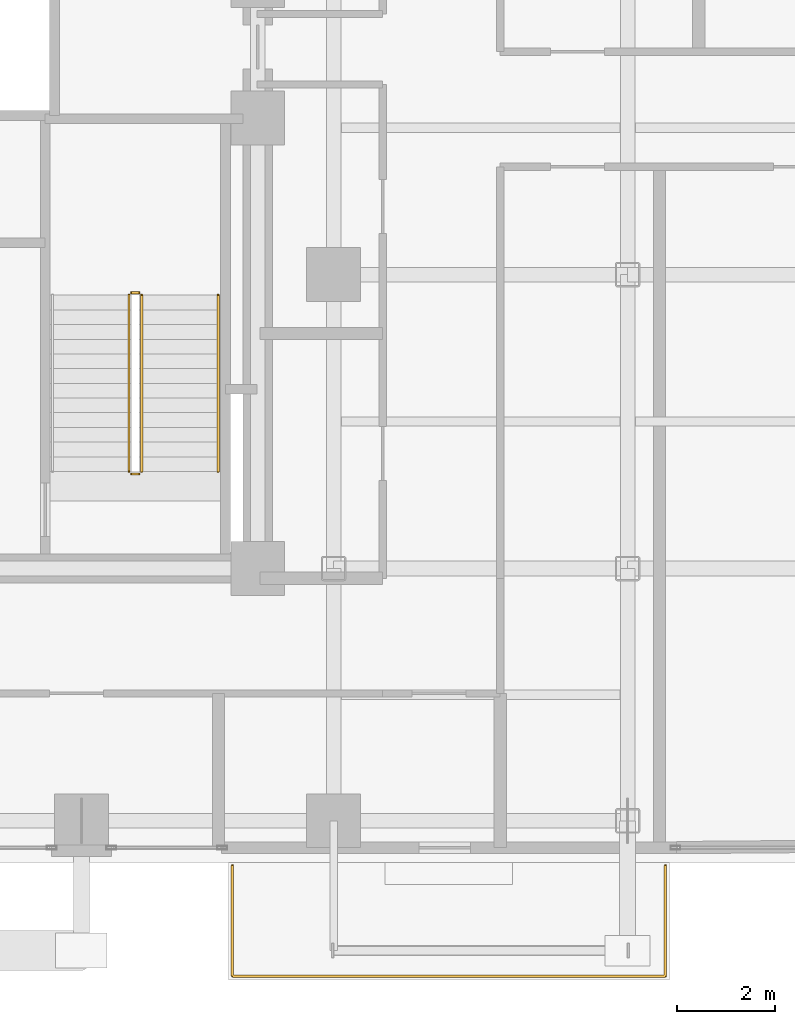
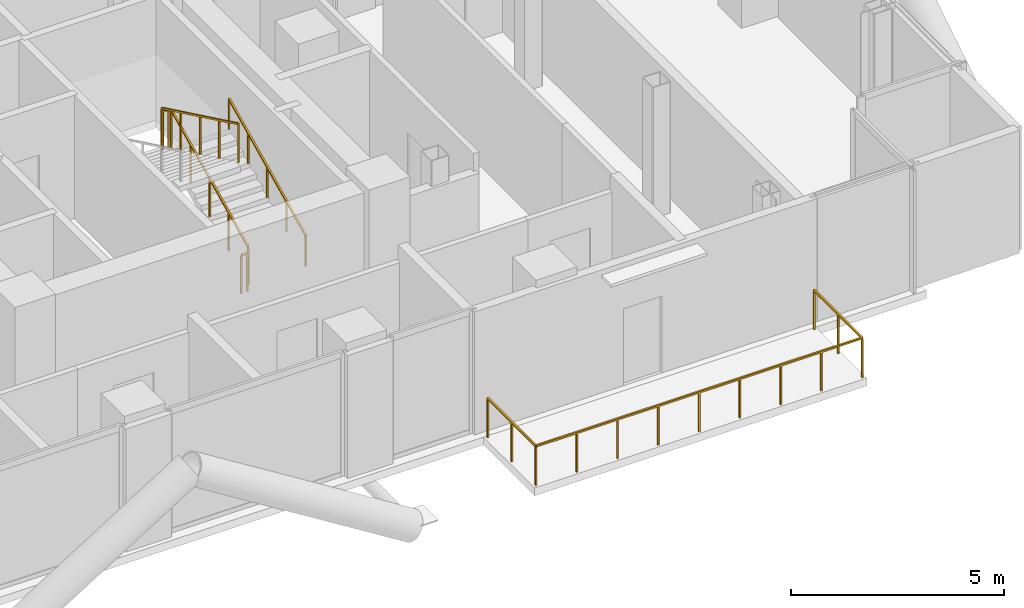
# One storey, part 27 of 28: 6 railings.
"""IFC4 building model written with IfcOpenShell, lengths in metres."""

from ifc_helpers import new_model, si_unit, direction, frame, origin, origin_2d, place, context, subcontext, project, spatial, rectangle, extrude, material, type_object, element, save


model = new_model("IFC4")

# Units and contexts
model_context = context("Model", 3, precision=1e-05, world=origin(), true_north=direction((0.0, 1.0)))
body_context = subcontext(model_context, "Body", "Model", "MODEL_VIEW")
ifc_project = project(units=[si_unit("LENGTHUNIT", "METRE"), si_unit("AREAUNIT", "SQUARE_METRE"), si_unit("VOLUMEUNIT", "CUBIC_METRE"), si_unit("PLANEANGLEUNIT", "RADIAN"), si_unit("MASSUNIT", "GRAM", prefix="KILO"), si_unit("THERMODYNAMICTEMPERATUREUNIT", "KELVIN"), si_unit("POWERUNIT", "WATT")], contexts=[model_context])

# Site, building, storey
site_placement = place(None, origin())
site = spatial("IfcSite", under=ifc_project, at=site_placement, CompositionType="ELEMENT")
building_placement = place(site_placement, origin())
building = spatial("IfcBuilding", under=site, at=building_placement, Name="Svarakhadi Broadcast Tower", CompositionType="ELEMENT")
storey_placement = place(building_placement, frame((0.0, 0.0, 134.39990234375)))
storey = spatial("IfcBuildingStorey", under=building, at=storey_placement, Name="L32", CompositionType="ELEMENT", Elevation=134.39990234375)

# Railings
ifc_material_1 = material(Name="Laminated Structural SentryGlas Balustrade 25.5 mm", Category="glass")
railing_type_1 = type_object("IfcRailingType", Name="Guard_Balcony_GR01", PredefinedType="BALUSTRADE", material=ifc_material_1)
railing_1_placement = place(storey_placement, frame((33.080078125, -0.06005859375, 0.0)))
element("IfcRailing", 1, at=railing_1_placement, inside=storey, type_object=railing_type_1, Name="L32 South Tree Balcony Guard GR-05", PredefinedType="BALUSTRADE", context=body_context, shape_type="SweptSolid", body=[
    extrude(rectangle(XDim=0.048095703125, YDim=0.048095703125, at=origin_2d()), frame((0.0, 0.0, 1.1259765625), z_axis=(0.0, -1.0, 0.0), x_axis=(1.0, 0.0, 0.0)), (0.0, 0.0, 1.0), 2.260009765625),
    extrude(rectangle(XDim=0.048095703125, YDim=0.048095703125, at=origin_2d()), frame((0.0, -2.260009765625, 1.1259765625), z_axis=(1.0, 0.0, 0.0), x_axis=(0.0, 1.0, 0.0)), (0.0, 0.0, 1.0), 8.83984375),
    extrude(rectangle(XDim=0.048095703125, YDim=0.048095703125, at=origin_2d()), frame((8.83984375, -2.260009765625, 1.1259765625), z_axis=(0.0, 1.0, 0.0), x_axis=(-1.0, 0.0, 0.0)), (0.0, 0.0, 1.0), 2.260009765625),
    extrude(rectangle(XDim=0.0419921875, YDim=0.0419921875, at=origin_2d()), origin(), (0.0, 0.0, 1.0), 1.101806640625),
    extrude(rectangle(XDim=0.0419921875, YDim=0.0419921875, at=origin_2d()), frame((0.0, -1.1298828125, 0.0)), (0.0, 0.0, 1.0), 1.101806640625),
    extrude(rectangle(XDim=0.0419921875, YDim=0.0419921875, at=origin_2d()), frame((0.0, -2.260009765625, 0.0)), (0.0, 0.0, 1.0), 1.101806640625),
    extrude(rectangle(XDim=0.0419921875, YDim=0.0419921875, at=origin_2d()), frame((1.10498046875, -2.260009765625, 0.0)), (0.0, 0.0, 1.0), 1.101806640625),
    extrude(rectangle(XDim=0.0419921875, YDim=0.0419921875, at=origin_2d()), frame((2.2099609375, -2.260009765625, 0.0)), (0.0, 0.0, 1.0), 1.101806640625),
    extrude(rectangle(XDim=0.0419921875, YDim=0.0419921875, at=origin_2d()), frame((3.31494140625, -2.260009765625, 0.0)), (0.0, 0.0, 1.0), 1.101806640625),
    extrude(rectangle(XDim=0.0419921875, YDim=0.0419921875, at=origin_2d()), frame((4.419921875, -2.260009765625, 0.0)), (0.0, 0.0, 1.0), 1.101806640625),
    extrude(rectangle(XDim=0.0419921875, YDim=0.0419921875, at=origin_2d()), frame((5.52490234375, -2.260009765625, 0.0)), (0.0, 0.0, 1.0), 1.101806640625),
    extrude(rectangle(XDim=0.0419921875, YDim=0.0419921875, at=origin_2d()), frame((6.6298828125, -2.260009765625, 0.0)), (0.0, 0.0, 1.0), 1.101806640625),
    extrude(rectangle(XDim=0.0419921875, YDim=0.0419921875, at=origin_2d()), frame((7.73486328125, -2.260009765625, 0.0)), (0.0, 0.0, 1.0), 1.101806640625),
    extrude(rectangle(XDim=0.0419921875, YDim=0.0419921875, at=origin_2d()), frame((8.83984375, -2.260009765625, 0.0)), (0.0, 0.0, 1.0), 1.101806640625),
    extrude(rectangle(XDim=0.0419921875, YDim=0.0419921875, at=origin_2d()), frame((8.83984375, -1.1298828125, 0.0)), (0.0, 0.0, 1.0), 1.101806640625),
    extrude(rectangle(XDim=0.0419921875, YDim=0.0419921875, at=origin_2d()), frame((8.83984375, 0.0, 0.0)), (0.0, 0.0, 1.0), 1.101806640625),
])
ifc_material_2 = material(Name="Anodised Bronze Aluminium AA 6063-T6", Category="aluminium")
railing_type_2 = type_object("IfcRailingType", Name="Guard_Stair_GR01", PredefinedType="GUARDRAIL", material=ifc_material_2)
railing_2_placement = place(storey_placement, frame((31.22998046875, 7.97998046875, 0.144287109375)))
element("IfcRailing", 2, at=railing_2_placement, inside=storey, type_object=railing_type_2, Name="L32 ST-02 stair guard 1", PredefinedType="GUARDRAIL", context=body_context, shape_type="SweptSolid", body=[
    extrude(rectangle(XDim=0.048095703125, YDim=0.048095703125, at=origin_2d()), frame((0.0, 0.0, 1.09619140625), z_axis=(0.0, 0.901262522062, 0.433273431364), x_axis=(-1.0, 0.0, 0.0)), (0.0, 0.0, 1.0), 3.994384765625),
    extrude(rectangle(XDim=0.0419921875, YDim=0.0419921875, at=origin_2d()), origin(), (0.0, 0.0, 1.0), 1.072021484375),
    extrude(rectangle(XDim=0.0419921875, YDim=0.0419921875, at=origin_2d()), frame((0.0, 0.89990234375, 0.4326171875)), (0.0, 0.0, 1.0), 1.072021484375),
    extrude(rectangle(XDim=0.0419921875, YDim=0.0419921875, at=origin_2d()), frame((0.0, 1.800048828125, 0.865234375)), (0.0, 0.0, 1.0), 1.072021484375),
    extrude(rectangle(XDim=0.0419921875, YDim=0.0419921875, at=origin_2d()), frame((0.0, 2.7001953125, 1.298095703125)), (0.0, 0.0, 1.0), 1.072021484375),
    extrude(rectangle(XDim=0.0419921875, YDim=0.0419921875, at=origin_2d()), frame((0.0, 3.60009765625, 1.730712890625)), (0.0, 0.0, 1.0), 1.072021484375),
])
railing_3_placement = place(storey_placement, frame((31.179931640625, 11.6298828125, 1.875)))
element("IfcRailing", 3, at=railing_3_placement, inside=storey, type_object=railing_type_2, Name="L32 ST-02 stair guard 2", PredefinedType="GUARDRAIL", context=body_context, shape_type="SweptSolid", body=[
    extrude(rectangle(XDim=0.048095703125, YDim=0.048095703125, at=origin_2d()), frame((0.0, 0.0, 1.09619140625), z_axis=(-1.0, 0.0, 0.0), x_axis=(0.0, -1.0, 0.0)), (0.0, 0.0, 1.0), 0.159912109375),
    extrude(rectangle(XDim=0.0419921875, YDim=0.0419921875, at=origin_2d()), origin(), (0.0, 0.0, 1.0), 1.072021484375),
    extrude(rectangle(XDim=0.0419921875, YDim=0.0419921875, at=origin_2d()), frame((-0.159912109375, 0.0, 0.0)), (0.0, 0.0, 1.0), 1.072021484375),
])
railing_4_placement = place(storey_placement, frame((30.969970703125, 11.580078125, 2.019287109375)))
element("IfcRailing", 4, at=railing_4_placement, inside=storey, type_object=railing_type_2, Name="L32 ST-02 stair guard 3", PredefinedType="GUARDRAIL", context=body_context, shape_type="SweptSolid", body=[
    extrude(rectangle(XDim=0.048095703125, YDim=0.048095703125, at=origin_2d()), frame((0.0, 0.0, 1.09619140625), z_axis=(0.0, -0.901262522062, 0.433273431364), x_axis=(1.0, 0.0, 0.0)), (0.0, 0.0, 1.0), 3.994384765625),
    extrude(rectangle(XDim=0.0419921875, YDim=0.0419921875, at=origin_2d()), origin(), (0.0, 0.0, 1.0), 1.072021484375),
    extrude(rectangle(XDim=0.0419921875, YDim=0.0419921875, at=origin_2d()), frame((0.0, -0.89990234375, 0.4326171875)), (0.0, 0.0, 1.0), 1.072021484375),
    extrude(rectangle(XDim=0.0419921875, YDim=0.0419921875, at=origin_2d()), frame((0.0, -1.800048828125, 0.865234375)), (0.0, 0.0, 1.0), 1.072021484375),
    extrude(rectangle(XDim=0.0419921875, YDim=0.0419921875, at=origin_2d()), frame((0.0, -2.7001953125, 1.298095703125)), (0.0, 0.0, 1.0), 1.072021484375),
    extrude(rectangle(XDim=0.0419921875, YDim=0.0419921875, at=origin_2d()), frame((0.0, -3.60009765625, 1.730712890625)), (0.0, 0.0, 1.0), 1.072021484375),
])
railing_5_placement = place(storey_placement, frame((31.179931640625, 7.929931640625, 0.0)))
element("IfcRailing", 5, at=railing_5_placement, inside=storey, type_object=railing_type_2, Name="L32 ST-02 stair guard 4", PredefinedType="GUARDRAIL", context=body_context, shape_type="SweptSolid", body=[
    extrude(rectangle(XDim=0.048095703125, YDim=0.048095703125, at=origin_2d()), frame((0.0, 0.0, 1.09619140625), z_axis=(-1.0, 0.0, 0.0), x_axis=(0.0, -1.0, 0.0)), (0.0, 0.0, 1.0), 0.159912109375),
    extrude(rectangle(XDim=0.0419921875, YDim=0.0419921875, at=origin_2d()), origin(), (0.0, 0.0, 1.0), 1.072021484375),
    extrude(rectangle(XDim=0.0419921875, YDim=0.0419921875, at=origin_2d()), frame((-0.159912109375, 0.0, 0.0)), (0.0, 0.0, 1.0), 1.072021484375),
])
railing_type_3 = type_object("IfcRailingType", Name="Handrail_Stair_HR01", PredefinedType="HANDRAIL", material=ifc_material_2)
railing_6_placement = place(storey_placement, frame((32.7900390625, 7.97998046875, 0.144287109375)))
element("IfcRailing", 6, at=railing_6_placement, inside=storey, type_object=railing_type_3, Name="L32 ST-02 stair handrail 1", PredefinedType="HANDRAIL", context=body_context, shape_type="SweptSolid", body=[
    extrude(rectangle(XDim=0.048095703125, YDim=0.048095703125, at=origin_2d()), frame((0.0, 0.0, 0.8759765625), z_axis=(0.0, 0.901262522062, 0.433273431364), x_axis=(-1.0, 0.0, 0.0)), (0.0, 0.0, 1.0), 3.994384765625),
    extrude(rectangle(XDim=0.0419921875, YDim=0.0419921875, at=origin_2d()), origin(), (0.0, 0.0, 1.0), 0.851806640625),
    extrude(rectangle(XDim=0.0419921875, YDim=0.0419921875, at=origin_2d()), frame((0.0, 0.89990234375, 0.4326171875)), (0.0, 0.0, 1.0), 0.851806640625),
    extrude(rectangle(XDim=0.0419921875, YDim=0.0419921875, at=origin_2d()), frame((0.0, 1.800048828125, 0.865234375)), (0.0, 0.0, 1.0), 0.851806640625),
    extrude(rectangle(XDim=0.0419921875, YDim=0.0419921875, at=origin_2d()), frame((0.0, 2.7001953125, 1.298095703125)), (0.0, 0.0, 1.0), 0.851806640625),
    extrude(rectangle(XDim=0.0419921875, YDim=0.0419921875, at=origin_2d()), frame((0.0, 3.60009765625, 1.730712890625)), (0.0, 0.0, 1.0), 0.851806640625),
])

save(model, "model.ifc")
